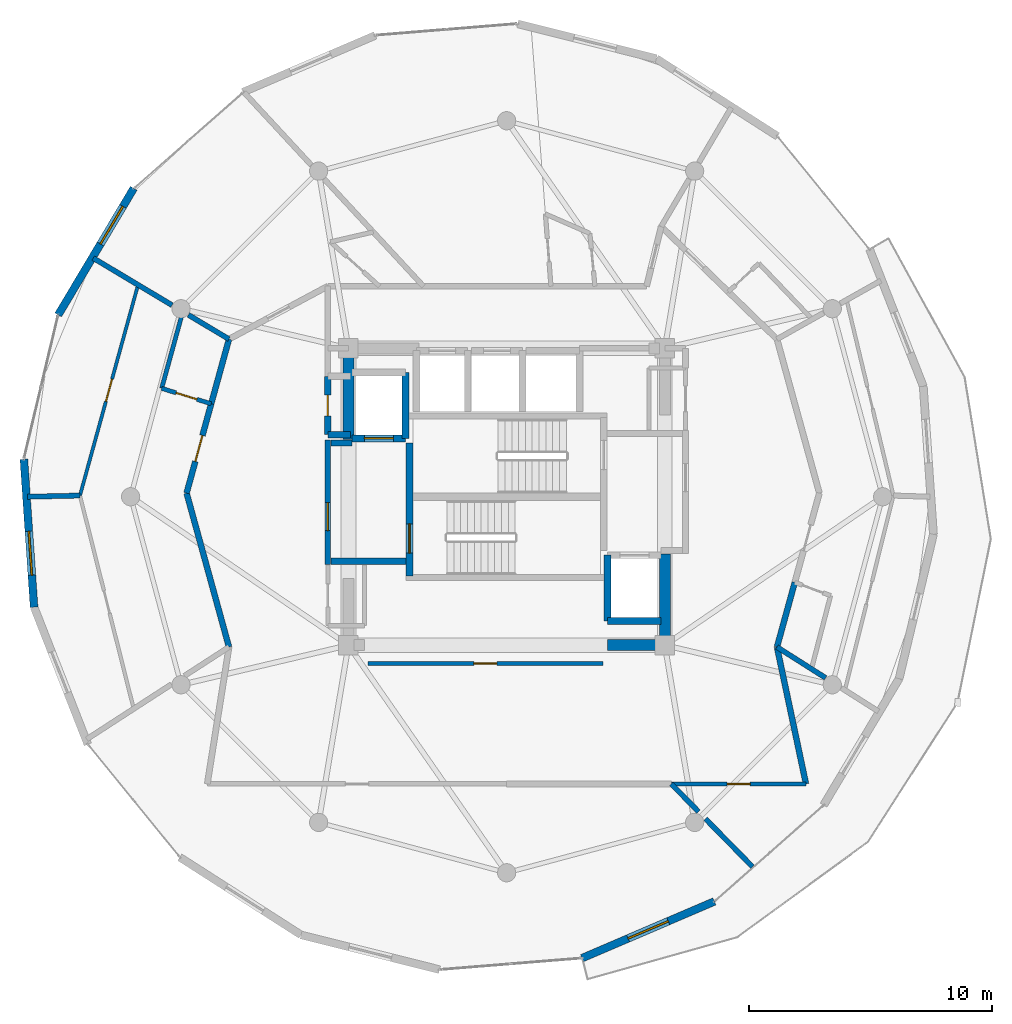
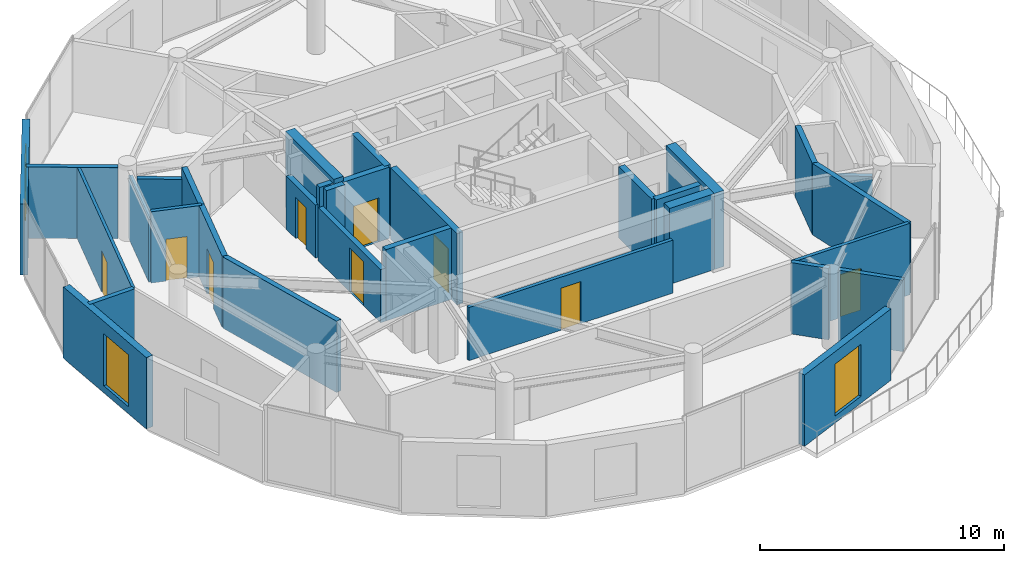
# One storey, part 17 of 22: 32 walls, 9 doors, 3 windows, 12 openings.
"""IFC4 building model written with IfcOpenShell, lengths in metres."""

from ifc_helpers import new_model, si_unit, direction, frame, frame_2d, origin, place, context, subcontext, project, spatial, rectangle, extrude, material, layer, layer_set, type_object, element, fill, save


model = new_model("IFC4")

# Units and contexts
model_context = context("Model", 3, precision=1e-05, world=origin(), true_north=direction((0.0, 1.0)))
body_context = subcontext(model_context, "Body", "Model", "MODEL_VIEW")
ifc_project = project(units=[si_unit("LENGTHUNIT", "METRE"), si_unit("AREAUNIT", "SQUARE_METRE"), si_unit("VOLUMEUNIT", "CUBIC_METRE"), si_unit("PLANEANGLEUNIT", "RADIAN"), si_unit("MASSUNIT", "GRAM", prefix="KILO")], contexts=[model_context])

# Site, building, storey
site_placement = place(None, origin())
site = spatial("IfcSite", under=ifc_project, at=site_placement, CompositionType="ELEMENT")
building_placement = place(site_placement, origin())
building = spatial("IfcBuilding", under=site, at=building_placement, Name="Solvirekh Grand Hotel", CompositionType="ELEMENT")
storey_placement = place(building_placement, frame((0.0, 0.0, 293.39990234375)))
storey = spatial("IfcBuildingStorey", under=building, at=storey_placement, Name="L76", CompositionType="ELEMENT", Elevation=293.39990234375)

# Wall, opening, door
ifc_material_1 = material(Name="Concrete C40/50", Category="concrete")
ifc_layer_1 = layer(ifc_material_1, 0.280029296875)
ifc_layer_set_1 = layer_set([ifc_layer_1], Name="Concrete C40/50")
wall_type_1 = type_object("IfcWallType", Name="CoreShaftWall_RC280", PredefinedType="SOLIDWALL", material=ifc_layer_set_1)
wall_1_placement = place(storey_placement, frame((-6.35009765625, 2.39990234375, 0.0), z_axis=(0.0, 0.0, 1.0), x_axis=(1.0, 0.0, 0.0)))
wall_1 = element("IfcWall", 1, at=wall_1_placement, inside=storey, type_object=wall_type_1, Name="L76 FL-1 hoistway S wall", PredefinedType="SOLIDWALL", context=body_context, shape_type="SweptSolid", body=[
    extrude(rectangle(XDim=2.2001953125, YDim=0.280029296875, at=frame_2d((1.10009765625, 0.0))), origin(), (0.0, 0.0, 1.0), 3.570068359375),
])
opening_1_placement = place(wall_1_placement, frame((0.5, 0.0, 0.0)))
opening_1 = element("IfcOpeningElement", 2, at=opening_1_placement, cuts=wall_1, Name="Opening LD02", PredefinedType="OPENING", context=body_context, shape_type="SweptSolid", body=[
    extrude(rectangle(XDim=1.199951171875, YDim=2.199951171875, at=frame_2d((0.60009765625, 1.10009765625))), frame((0.0, 0.14990234375, 0.0), z_axis=(0.0, -1.0, 0.0), x_axis=(1.0, 0.0, 0.0)), (0.0, 0.0, 1.0), 0.300048828125),
])
ifc_material_2 = material(Name="Fire-Rated Steel Door Assembly", Category="steel")
door_type_1 = type_object("IfcDoorType", Name="Door_LiftFF_1200X2200", OperationType="SLIDING_TO_LEFT", PredefinedType="DOOR", material=ifc_material_2)
door_1_placement = place(opening_1_placement, origin())
door_1 = element("IfcDoor", 3, at=door_1_placement, inside=storey, type_object=door_type_1, Name="L76 FL-1 sliding lift landing door", OperationType="SLIDING_TO_LEFT", OverallHeight=2.199951171875, OverallWidth=1.199951171875, PredefinedType="DOOR", context=body_context, shape_type="SweptSolid", body=[
    extrude(rectangle(XDim=1.199951171875, YDim=2.199951171875, at=frame_2d((0.60009765625, 1.10009765625))), frame((0.0, 0.02490234375, 0.0), z_axis=(0.0, -1.0, 0.0), x_axis=(1.0, 0.0, 0.0)), (0.0, 0.0, 1.0), 0.050048828125),
])
fill(opening_1, door_1)

# Walls
wall_2_placement = place(storey_placement, frame((-4.14990234375, 2.39990234375, 0.0), z_axis=(0.0, 0.0, 1.0), x_axis=(0.0, 1.0, 0.0)))
element("IfcWall", 4, at=wall_2_placement, inside=storey, type_object=wall_type_1, Name="L76 FL-1 hoistway E wall", PredefinedType="SOLIDWALL", context=body_context, shape_type="SweptSolid", body=[
    extrude(rectangle(XDim=2.7001953125, YDim=0.280029296875, at=frame_2d((1.35009765625, 0.0))), origin(), (0.0, 0.0, 1.0), 3.570068359375),
])
wall_3_placement = place(storey_placement, frame((4.14990234375, -5.10009765625, 0.0), z_axis=(0.0, 0.0, 1.0), x_axis=(1.0, 0.0, 0.0)))
element("IfcWall", 5, at=wall_3_placement, inside=storey, type_object=wall_type_1, Name="L76 FL-2 hoistway S wall", PredefinedType="SOLIDWALL", context=body_context, shape_type="SweptSolid", body=[
    extrude(rectangle(XDim=2.2001953125, YDim=0.280029296875, at=frame_2d((1.10009765625, 0.0))), origin(), (0.0, 0.0, 1.0), 3.570068359375),
])
wall_4_placement = place(storey_placement, frame((4.14990234375, -2.39990234375, 0.0), z_axis=(0.0, 0.0, 1.0), x_axis=(0.0, -1.0, 0.0)))
element("IfcWall", 6, at=wall_4_placement, inside=storey, type_object=wall_type_1, Name="L76 FL-2 hoistway W wall", PredefinedType="SOLIDWALL", context=body_context, shape_type="SweptSolid", body=[
    extrude(rectangle(XDim=2.7001953125, YDim=0.280029296875, at=frame_2d((1.35009765625, 0.0))), origin(), (0.0, 0.0, 1.0), 3.570068359375),
])

# Wall, opening, door
wall_5_placement = place(storey_placement, frame((-3.989990234375, -3.25, 0.0), z_axis=(0.0, 0.0, 1.0), x_axis=(0.0, 1.0, 0.0)))
wall_5 = element("IfcWall", 7, at=wall_5_placement, inside=storey, type_object=wall_type_1, Name="L76 west stair landing enclosure wall", PredefinedType="SOLIDWALL", context=body_context, shape_type="SweptSolid", body=[
    extrude(rectangle(XDim=5.4599609375, YDim=0.280029296875, at=frame_2d((2.72998046875, 0.0))), origin(), (0.0, 0.0, 1.0), 3.570068359375),
])
opening_2_placement = place(wall_5_placement, frame((0.93701171875, 0.0, 0.0)))
opening_2 = element("IfcOpeningElement", 8, at=opening_2_placement, cuts=wall_5, Name="Opening D05", PredefinedType="OPENING", context=body_context, shape_type="SweptSolid", body=[
    extrude(rectangle(XDim=1.199951171875, YDim=2.199951171875, at=frame_2d((0.60009765625, 1.10009765625))), frame((0.0, 0.14990234375, 0.0), z_axis=(0.0, -1.0, 0.0), x_axis=(1.0, 0.0, 0.0)), (0.0, 0.0, 1.0), 0.300048828125),
])
door_type_2 = type_object("IfcDoorType", Name="Door_StairCore_1200X2200", OperationType="NOTDEFINED", PredefinedType="DOOR", material=ifc_material_2)
door_2_placement = place(opening_2_placement, origin())
door_2 = element("IfcDoor", 9, at=door_2_placement, inside=storey, type_object=door_type_2, Name="L76 exit stair ST-1 fire door", OperationType="SINGLE_SWING_LEFT", OverallHeight=2.199951171875, OverallWidth=1.199951171875, PredefinedType="DOOR", context=body_context, shape_type="SweptSolid", body=[
    extrude(rectangle(XDim=1.199951171875, YDim=2.199951171875, at=frame_2d((0.60009765625, 1.10009765625))), frame((0.0, 0.02490234375, 0.0), z_axis=(0.0, -1.0, 0.0), x_axis=(1.0, 0.0, 0.0)), (0.0, 0.0, 1.0), 0.050048828125),
])
fill(opening_2, door_2)

# Walls
ifc_material_3 = material(Name="Concrete C50/60", Category="concrete")
ifc_layer_2 = layer(ifc_material_3, 0.449951171875)
ifc_layer_set_2 = layer_set([ifc_layer_2], Name="Concrete C50/60")
wall_type_2 = type_object("IfcWallType", Name="CoreWall_RC450", PredefinedType="SHEAR", material=ifc_layer_set_2)
wall_6_placement = place(storey_placement, frame((4.14990234375, -6.10009765625, 0.0), z_axis=(0.0, 0.0, 1.0), x_axis=(1.0, 0.0, 0.0)))
element("IfcWall", 10, at=wall_6_placement, inside=storey, type_object=wall_type_2, Name="L76 core corner shear wall SE-S", PredefinedType="SHEAR", context=body_context, shape_type="SweptSolid", body=[
    extrude(rectangle(XDim=2.125, YDim=0.449951171875, at=frame_2d((1.0625, 0.0))), origin(), (0.0, 0.0, 1.0), 3.800048828125),
])
for number, where, z_axis, x_axis, name in (
    (11, (-6.5, 2.35009765625, 0.0), (0.0, 0.0, 1.0), (0.0, 1.0, 0.0), "L76 core corner shear wall WN-W"),
    (12, (6.5, -6.324951171875, 0.0), (0.0, 0.0, 1.0), (0.0, 1.0, 0.0), "L76 core corner shear wall ES-E"),
):
    element("IfcWall", number, at=place(storey_placement, frame(where, z_axis=z_axis, x_axis=x_axis)), inside=storey, type_object=wall_type_2, Name=name, PredefinedType="SHEAR", context=body_context, shape_type="SweptSolid", body=[
        extrude(rectangle(XDim=3.974853515625, YDim=0.449951171875, at=frame_2d((1.9873046875, 0.0))), origin(), (0.0, 0.0, 1.0), 3.800048828125),
    ])

# Wall, opening, window
ifc_material_4 = material(Name="Precast concrete C45/55", Category="concrete")
ifc_layer_3 = layer(ifc_material_4, 0.320068359375)
ifc_layer_set_3 = layer_set([ifc_layer_3], Name="Precast concrete C45/55")
wall_type_3 = type_object("IfcWallType", Name="ExtLobbyWall_RC320", PredefinedType="SOLIDWALL", material=ifc_layer_set_3)
wall_7_placement = place(storey_placement, frame((8.534912109375, -16.62890625, 0.0), z_axis=(0.0, 0.0, 1.0), x_axis=(-0.919149299583, -0.393909336112, 0.0)))
wall_7 = element("IfcWall", 13, at=wall_7_placement, inside=storey, type_object=wall_type_3, Name="L76 exterior structural wall chord 2", PredefinedType="SOLIDWALL", context=body_context, shape_type="SweptSolid", body=[
    extrude(rectangle(XDim=5.915283203125, YDim=0.320068359375, at=frame_2d((2.95751953125, 0.0))), origin(), (0.0, 0.0, 1.0), 3.570068359375),
])
opening_3_placement = place(wall_7_placement, frame((2.05810546875, 0.0, 0.35009765625)))
opening_3 = element("IfcOpeningElement", 14, at=opening_3_placement, cuts=wall_7, Name="Opening W02", PredefinedType="OPENING", context=body_context, shape_type="SweptSolid", body=[
    extrude(rectangle(XDim=1.800048828125, YDim=2.60009765625, at=frame_2d((0.89990234375, 1.300048828125))), frame((0.0, 0.169921875, 0.0), z_axis=(0.0, -1.0, 0.0), x_axis=(1.0, 0.0, 0.0)), (0.0, 0.0, 1.0), 0.340087890625),
])
ifc_material_5 = material(Name="Low-E Tinted Bronze Laminated Glass", Category="aluminium")
window_type = type_object("IfcWindowType", Name="Win_LobbyExt_1800X2600", PartitioningType="SINGLE_PANEL", PredefinedType="WINDOW", material=ifc_material_5)
window_1_placement = place(opening_3_placement, origin())
window_1 = element("IfcWindow", 15, at=window_1_placement, inside=storey, type_object=window_type, Name="L76 panoramic bronze-framed window 2", OverallHeight=2.60009765625, OverallWidth=1.800048828125, PartitioningType="SINGLE_PANEL", PredefinedType="WINDOW", context=body_context, shape_type="SweptSolid", body=[
    extrude(rectangle(XDim=1.800048828125, YDim=2.60009765625, at=frame_2d((0.89990234375, 1.300048828125))), frame((0.0, 0.030029296875, 0.0), z_axis=(0.0, -1.0, 0.0), x_axis=(1.0, 0.0, 0.0)), (0.0, 0.0, 1.0), 0.06005859375),
])
fill(opening_3, window_1)

wall_8_placement = place(storey_placement, frame((-18.426025390625, 7.472900390625, 0.0), z_axis=(0.0, 0.0, 1.0), x_axis=(0.512459907896, 0.858711152134, 0.0)))
wall_8 = element("IfcWall", 16, at=wall_8_placement, inside=storey, type_object=wall_type_3, Name="L76 exterior structural wall chord 14", PredefinedType="SOLIDWALL", context=body_context, shape_type="SweptSolid", body=[
    extrude(rectangle(XDim=6.05322265625, YDim=0.320068359375, at=frame_2d((3.026611328125, 0.0))), origin(), (0.0, 0.0, 1.0), 3.570068359375),
])
opening_4_placement = place(wall_8_placement, frame((3.39208984375, 0.0, 0.35009765625)))
opening_4 = element("IfcOpeningElement", 17, at=opening_4_placement, cuts=wall_8, Name="Opening W02", PredefinedType="OPENING", context=body_context, shape_type="SweptSolid", body=[
    extrude(rectangle(XDim=1.800048828125, YDim=2.60009765625, at=frame_2d((0.89990234375, 1.300048828125))), frame((0.0, 0.169921875, 0.0), z_axis=(0.0, -1.0, 0.0), x_axis=(1.0, 0.0, 0.0)), (0.0, 0.0, 1.0), 0.340087890625),
])
window_2_placement = place(opening_4_placement, origin())
window_2 = element("IfcWindow", 18, at=window_2_placement, inside=storey, type_object=window_type, Name="L76 panoramic bronze-framed window 14", OverallHeight=2.60009765625, OverallWidth=1.800048828125, PartitioningType="SINGLE_PANEL", PredefinedType="WINDOW", context=body_context, shape_type="SweptSolid", body=[
    extrude(rectangle(XDim=1.800048828125, YDim=2.60009765625, at=frame_2d((0.89990234375, 1.300048828125))), frame((0.0, 0.030029296875, 0.0), z_axis=(0.0, -1.0, 0.0), x_axis=(1.0, 0.0, 0.0)), (0.0, 0.0, 1.0), 0.06005859375),
])
fill(opening_4, window_2)

wall_9_placement = place(storey_placement, frame((-19.41796875, -4.5380859375, 0.0), z_axis=(0.0, 0.0, 1.0), x_axis=(-0.068571155559, 0.997646228192, 0.0)))
wall_9 = element("IfcWall", 19, at=wall_9_placement, inside=storey, type_object=wall_type_3, Name="L76 exterior structural wall chord 16", PredefinedType="SOLIDWALL", context=body_context, shape_type="SweptSolid", body=[
    extrude(rectangle(XDim=6.095458984375, YDim=0.320068359375, at=frame_2d((3.0478515625, 0.0))), origin(), (0.0, 0.0, 1.0), 3.570068359375),
])
opening_5_placement = place(wall_9_placement, frame((1.322998046875, 0.0, 0.35009765625)))
opening_5 = element("IfcOpeningElement", 20, at=opening_5_placement, cuts=wall_9, Name="Opening W02", PredefinedType="OPENING", context=body_context, shape_type="SweptSolid", body=[
    extrude(rectangle(XDim=1.800048828125, YDim=2.60009765625, at=frame_2d((0.89990234375, 1.300048828125))), frame((0.0, 0.169921875, 0.0), z_axis=(0.0, -1.0, 0.0), x_axis=(1.0, 0.0, 0.0)), (0.0, 0.0, 1.0), 0.340087890625),
])
window_3_placement = place(opening_5_placement, origin())
window_3 = element("IfcWindow", 21, at=window_3_placement, inside=storey, type_object=window_type, Name="L76 panoramic bronze-framed window 16", OverallHeight=2.60009765625, OverallWidth=1.800048828125, PartitioningType="SINGLE_PANEL", PredefinedType="WINDOW", context=body_context, shape_type="SweptSolid", body=[
    extrude(rectangle(XDim=1.800048828125, YDim=2.60009765625, at=frame_2d((0.89990234375, 1.300048828125))), frame((0.0, 0.030029296875, 0.0), z_axis=(0.0, -1.0, 0.0), x_axis=(1.0, 0.0, 0.0)), (0.0, 0.0, 1.0), 0.06005859375),
])
fill(opening_5, window_3)

# Wall, opening, door
ifc_material_6 = material(Name="Acoustic Gypsum Partition Assembly")
ifc_layer_4 = layer(ifc_material_6, 0.1650390625)
ifc_layer_set_4 = layer_set([ifc_layer_4], Name="Acoustic Gypsum Partition Assembly")
wall_type_4 = type_object("IfcWallType", Name="Part_BOH_165", PredefinedType="PARTITIONING", material=ifc_layer_set_4)
wall_10_placement = place(storey_placement, frame((-5.699951171875, -6.85009765625, 0.0), z_axis=(0.0, 0.0, 1.0), x_axis=(1.0, 0.0, 0.0)))
wall_10 = element("IfcWall", 22, at=wall_10_placement, inside=storey, type_object=wall_type_4, Name="L76 Housekeeping & Linen Store wall 1", PredefinedType="PARTITIONING", context=body_context, shape_type="SweptSolid", body=[
    extrude(rectangle(XDim=9.64990234375, YDim=0.1650390625, at=frame_2d((4.824951171875, 0.0))), origin(), (0.0, 0.0, 1.0), 2.655029296875),
])
opening_6_placement = place(wall_10_placement, frame((4.35009765625, 0.0, 0.0)))
opening_6 = element("IfcOpeningElement", 23, at=opening_6_placement, cuts=wall_10, Name="Opening D10", PredefinedType="OPENING", context=body_context, shape_type="SweptSolid", body=[
    extrude(rectangle(XDim=0.949951171875, YDim=2.10009765625, at=frame_2d((0.47509765625, 1.050048828125))), frame((0.0, 0.092529296875, 0.0), z_axis=(0.0, -1.0, 0.0), x_axis=(1.0, 0.0, 0.0)), (0.0, 0.0, 1.0), 0.18505859375),
])
ifc_material_7 = material(Name="Anodized Bronze Aluminium 6063-T6", Category="aluminium")
door_type_3 = type_object("IfcDoorType", Name="Door_RoomInt_950X2100", OperationType="NOTDEFINED", PredefinedType="DOOR", material=ifc_material_7)
door_3_placement = place(opening_6_placement, origin())
door_3 = element("IfcDoor", 24, at=door_3_placement, inside=storey, type_object=door_type_3, Name="L76 Housekeeping & Linen Store door", OperationType="SINGLE_SWING_RIGHT", OverallHeight=2.10009765625, OverallWidth=0.949951171875, PredefinedType="DOOR", context=body_context, shape_type="SweptSolid", body=[
    extrude(rectangle(XDim=0.949951171875, YDim=2.10009765625, at=frame_2d((0.47509765625, 1.050048828125))), frame((0.0, 0.02490234375, 0.0), z_axis=(0.0, -1.0, 0.0), x_axis=(1.0, 0.0, 0.0)), (0.0, 0.0, 1.0), 0.050048828125),
])
fill(opening_6, door_3)

wall_11_placement = place(storey_placement, frame((6.764892578125, -11.800048828125, 0.0), z_axis=(0.0, 0.0, 1.0), x_axis=(1.0, 0.0, 0.0)))
wall_11 = element("IfcWall", 25, at=wall_11_placement, inside=storey, type_object=wall_type_4, Name="L76 L76 Butler Valet & Linen Steward Room entrance wall", PredefinedType="PARTITIONING", context=body_context, shape_type="SweptSolid", body=[
    extrude(rectangle(XDim=5.53515625, YDim=0.1650390625, at=frame_2d((2.767578125, 0.0))), origin(), (0.0, 0.0, 1.0), 3.570068359375),
])
opening_7_placement = place(wall_11_placement, frame((2.29296875, 0.0, 0.0)))
opening_7 = element("IfcOpeningElement", 26, at=opening_7_placement, cuts=wall_11, Name="Opening D10", PredefinedType="OPENING", context=body_context, shape_type="SweptSolid", body=[
    extrude(rectangle(XDim=0.949951171875, YDim=2.10009765625, at=frame_2d((0.47509765625, 1.050048828125))), frame((0.0, 0.092529296875, 0.0), z_axis=(0.0, -1.0, 0.0), x_axis=(1.0, 0.0, 0.0)), (0.0, 0.0, 1.0), 0.18505859375),
])
door_4_placement = place(opening_7_placement, origin())
door_4 = element("IfcDoor", 27, at=door_4_placement, inside=storey, type_object=door_type_3, Name="L76 L76 Butler Valet & Linen Steward Room entrance door", OperationType="SINGLE_SWING_LEFT", OverallHeight=2.10009765625, OverallWidth=0.949951171875, PredefinedType="DOOR", context=body_context, shape_type="SweptSolid", body=[
    extrude(rectangle(XDim=0.949951171875, YDim=2.10009765625, at=frame_2d((0.47509765625, 1.050048828125))), frame((0.0, 0.02490234375, 0.0), z_axis=(0.0, -1.0, 0.0), x_axis=(1.0, 0.0, 0.0)), (0.0, 0.0, 1.0), 0.050048828125),
])
fill(opening_7, door_4)

ifc_layer_5 = layer(ifc_material_6, 0.239990234375)
ifc_layer_set_5 = layer_set([ifc_layer_5], Name="Acoustic Gypsum Partition Assembly")
wall_type_5 = type_object("IfcWallType", Name="Part_Corridor_240", PredefinedType="PARTITIONING", material=ifc_layer_set_5)
wall_12_placement = place(storey_placement, frame((-7.35009765625, -2.780029296875, 0.0), z_axis=(0.0, 0.0, 1.0), x_axis=(0.0, 1.0, 0.0)))
wall_12 = element("IfcWall", 28, at=wall_12_placement, inside=storey, type_object=wall_type_5, Name="L76 west firefighting lobby smoke screen wall", PredefinedType="PARTITIONING", context=body_context, shape_type="SweptSolid", body=[
    extrude(rectangle(XDim=5.1201171875, YDim=0.239990234375, at=frame_2d((2.56005859375, 0.0))), origin(), (0.0, 0.0, 1.0), 2.655029296875),
])
opening_8_placement = place(wall_12_placement, frame((1.388916015625, 0.0, 0.0)))
opening_8 = element("IfcOpeningElement", 29, at=opening_8_placement, cuts=wall_12, Name="Opening D06", PredefinedType="OPENING", context=body_context, shape_type="SweptSolid", body=[
    extrude(rectangle(XDim=1.14990234375, YDim=2.199951171875, at=frame_2d((0.574951171875, 1.10009765625))), frame((0.0, 0.1298828125, 0.0), z_axis=(0.0, -1.0, 0.0), x_axis=(1.0, 0.0, 0.0)), (0.0, 0.0, 1.0), 0.260009765625),
])
door_type_4 = type_object("IfcDoorType", Name="Door_FFLobby_1150X2200", OperationType="NOTDEFINED", PredefinedType="DOOR", material=ifc_material_2)
door_5_placement = place(opening_8_placement, origin())
door_5 = element("IfcDoor", 30, at=door_5_placement, inside=storey, type_object=door_type_4, Name="L76 west firefighting lobby smoke door", OperationType="SINGLE_SWING_LEFT", OverallHeight=2.199951171875, OverallWidth=1.14990234375, PredefinedType="DOOR", context=body_context, shape_type="SweptSolid", body=[
    extrude(rectangle(XDim=1.14990234375, YDim=2.199951171875, at=frame_2d((0.574951171875, 1.10009765625))), frame((0.0, 0.02490234375, 0.0), z_axis=(0.0, -1.0, 0.0), x_axis=(1.0, 0.0, 0.0)), (0.0, 0.0, 1.0), 0.050048828125),
])
fill(opening_8, door_5)

# Walls
wall_13_placement = place(storey_placement, frame((-11.407958984375, 6.47509765625, 0.0), z_axis=(0.0, 0.0, 1.0), x_axis=(-0.265673419644, -0.964063086159, 0.0)))
element("IfcWall", 31, at=wall_13_placement, inside=storey, type_object=wall_type_5, Name="L76 En-suite Bathroom 7803 corridor backing wall", PredefinedType="PARTITIONING", context=body_context, shape_type="SweptSolid", body=[
    extrude(rectangle(XDim=2.755126953125, YDim=0.239990234375, at=frame_2d((1.37744140625, 0.0))), origin(), (0.0, 0.0, 1.0), 3.570068359375),
])
wall_14_placement = place(storey_placement, frame((-13.14990234375, 0.14990234375, 0.0), z_axis=(0.0, 0.0, 1.0), x_axis=(0.265522333736, -0.964104709193, 0.0)))
element("IfcWall", 32, at=wall_14_placement, inside=storey, type_object=wall_type_5, Name="L76 Executive Suite 7803 Living Room corridor wall 1", PredefinedType="PARTITIONING", context=body_context, shape_type="SweptSolid", body=[
    extrude(rectangle(XDim=6.560546875, YDim=0.239990234375, at=frame_2d((3.2802734375, 0.0))), origin(), (0.0, 0.0, 1.0), 3.570068359375),
])

# Wall, opening, door
wall_15_placement = place(storey_placement, frame((-12.139892578125, 3.819091796875, 0.0), z_axis=(0.0, 0.0, 1.0), x_axis=(-0.265396531994, -0.964139347193, 0.0)))
wall_15 = element("IfcWall", 33, at=wall_15_placement, inside=storey, type_object=wall_type_5, Name="L76 Executive Suite 7803 Living Room entrance wall", PredefinedType="PARTITIONING", context=body_context, shape_type="SweptSolid", body=[
    extrude(rectangle(XDim=3.8056640625, YDim=0.239990234375, at=frame_2d((1.90283203125, 0.0))), origin(), (0.0, 0.0, 1.0), 3.570068359375),
])
opening_9_placement = place(wall_15_placement, frame((1.35302734375, 0.0, 0.0)))
opening_9 = element("IfcOpeningElement", 34, at=opening_9_placement, cuts=wall_15, Name="Opening D08", PredefinedType="OPENING", context=body_context, shape_type="SweptSolid", body=[
    extrude(rectangle(XDim=1.10009765625, YDim=2.300048828125, at=frame_2d((0.550048828125, 1.14990234375))), frame((0.0, 0.1298828125, 0.0), z_axis=(0.0, -1.0, 0.0), x_axis=(1.0, 0.0, 0.0)), (0.0, 0.0, 1.0), 0.260009765625),
])
door_type_5 = type_object("IfcDoorType", Name="Door_SuiteEntry_1100X2300", OperationType="NOTDEFINED", PredefinedType="DOOR", material=ifc_material_2)
door_6_placement = place(opening_9_placement, origin())
door_6 = element("IfcDoor", 35, at=door_6_placement, inside=storey, type_object=door_type_5, Name="L76 Executive Suite 7803 Living Room entrance door", OperationType="SINGLE_SWING_LEFT", OverallHeight=2.300048828125, OverallWidth=1.10009765625, PredefinedType="DOOR", context=body_context, shape_type="SweptSolid", body=[
    extrude(rectangle(XDim=1.10009765625, YDim=2.300048828125, at=frame_2d((0.550048828125, 1.14990234375))), frame((0.0, 0.02490234375, 0.0), z_axis=(0.0, -1.0, 0.0), x_axis=(1.0, 0.0, 0.0)), (0.0, 0.0, 1.0), 0.050048828125),
])
fill(opening_9, door_6)

# Walls
wall_16_placement = place(storey_placement, frame((11.10791015625, -6.175048828125, 0.0), z_axis=(0.0, 0.0, 1.0), x_axis=(0.265664996475, 0.964065407349, 0.0)))
element("IfcWall", 36, at=wall_16_placement, inside=storey, type_object=wall_type_5, Name="L76 En-suite Bathroom 7804 corridor backing wall", PredefinedType="PARTITIONING", context=body_context, shape_type="SweptSolid", body=[
    extrude(rectangle(XDim=2.756103515625, YDim=0.239990234375, at=frame_2d((1.3779296875, 0.0))), origin(), (0.0, 0.0, 1.0), 3.570068359375),
])
wall_17_placement = place(storey_placement, frame((12.300048828125, -11.800048828125, 0.0), z_axis=(0.0, 0.0, 1.0), x_axis=(-0.207330597994, 0.978270935445, 0.0)))
element("IfcWall", 37, at=wall_17_placement, inside=storey, type_object=wall_type_5, Name="L76 L76 Butler Valet & Linen Steward Room corridor wall 1", PredefinedType="PARTITIONING", context=body_context, shape_type="SweptSolid", body=[
    extrude(rectangle(XDim=5.75, YDim=0.239990234375, at=frame_2d((2.875, 0.0))), origin(), (0.0, 0.0, 1.0), 3.570068359375),
])
ifc_layer_6 = layer(ifc_material_6, 0.260009765625)
ifc_layer_set_6 = layer_set([ifc_layer_6], Name="Acoustic Gypsum Partition Assembly")
wall_type_6 = type_object("IfcWallType", Name="Part_LobbyFF_260", PredefinedType="PARTITIONING", material=ifc_layer_set_6)
wall_18_placement = place(storey_placement, frame((-7.22509765625, -2.64990234375, 0.0), z_axis=(0.0, 0.0, 1.0), x_axis=(1.0, 0.0, 0.0)))
element("IfcWall", 38, at=wall_18_placement, inside=storey, type_object=wall_type_6, Name="L76 west firefighting lobby south partition", PredefinedType="PARTITIONING", context=body_context, shape_type="SweptSolid", body=[
    extrude(rectangle(XDim=3.09521484375, YDim=0.260009765625, at=frame_2d((1.547607421875, 0.0))), origin(), (0.0, 0.0, 1.0), 3.570068359375),
])
wall_19_placement = place(storey_placement, frame((-7.22509765625, 2.2099609375, 0.0), z_axis=(0.0, 0.0, 1.0), x_axis=(1.0, 0.0, 0.0)))
element("IfcWall", 39, at=wall_19_placement, inside=storey, type_object=wall_type_6, Name="L76 west firefighting lobby NW cheek", PredefinedType="PARTITIONING", context=body_context, shape_type="SweptSolid", body=[
    extrude(rectangle(XDim=0.875, YDim=0.260009765625, at=frame_2d((0.4375, 0.0))), origin(), (0.0, 0.0, 1.0), 3.570068359375),
])
wall_20_placement = place(storey_placement, frame((-7.35009765625, 2.550048828125, 0.0), z_axis=(0.0, 0.0, 1.0), x_axis=(1.0, 0.0, 0.0)))
element("IfcWall", 40, at=wall_20_placement, inside=storey, type_object=wall_type_6, Name="L76 NW telecom metering cupboard south wall", PredefinedType="PARTITIONING", context=body_context, shape_type="SweptSolid", body=[
    extrude(rectangle(XDim=0.93017578125, YDim=0.260009765625, at=frame_2d((0.465087890625, 0.0))), origin(), (0.0, 0.0, 1.0), 3.570068359375),
])

# Wall, opening, door
wall_21_placement = place(storey_placement, frame((-7.35009765625, 2.550048828125, 0.0), z_axis=(0.0, 0.0, 1.0), x_axis=(0.0, 1.0, 0.0)))
wall_21 = element("IfcWall", 41, at=wall_21_placement, inside=storey, type_object=wall_type_6, Name="L76 NW telecom metering cupboard access wall", PredefinedType="PARTITIONING", context=body_context, shape_type="SweptSolid", body=[
    extrude(rectangle(XDim=2.39990234375, YDim=0.260009765625, at=frame_2d((1.199951171875, 0.0))), origin(), (0.0, 0.0, 1.0), 2.655029296875),
])
opening_10_placement = place(wall_21_placement, frame((0.77490234375, 0.0, 0.0)))
opening_10 = element("IfcOpeningElement", 42, at=opening_10_placement, cuts=wall_21, Name="Opening D13", PredefinedType="OPENING", context=body_context, shape_type="SweptSolid", body=[
    extrude(rectangle(XDim=0.85009765625, YDim=2.050048828125, at=frame_2d((0.425048828125, 1.02490234375))), frame((0.0, 0.14013671875, 0.0), z_axis=(0.0, -1.0, 0.0), x_axis=(1.0, 0.0, 0.0)), (0.0, 0.0, 1.0), 0.280029296875),
])
door_type_6 = type_object("IfcDoorType", Name="Door_RiserShaft_850X2050", OperationType="NOTDEFINED", PredefinedType="DOOR", material=ifc_material_2)
door_7_placement = place(opening_10_placement, origin())
door_7 = element("IfcDoor", 43, at=door_7_placement, inside=storey, type_object=door_type_6, Name="L76 telecom metering cupboard access door", OperationType="SINGLE_SWING_LEFT", OverallHeight=2.050048828125, OverallWidth=0.85009765625, PredefinedType="DOOR", context=body_context, shape_type="SweptSolid", body=[
    extrude(rectangle(XDim=0.85009765625, YDim=2.050048828125, at=frame_2d((0.425048828125, 1.02490234375))), frame((0.0, 0.02490234375, 0.0), z_axis=(0.0, -1.0, 0.0), x_axis=(1.0, 0.0, 0.0)), (0.0, 0.0, 1.0), 0.050048828125),
])
fill(opening_10, door_7)

ifc_layer_7 = layer(ifc_material_6, 0.135009765625)
ifc_layer_set_7 = layer_set([ifc_layer_7], Name="Acoustic Gypsum Partition Assembly")
wall_type_7 = type_object("IfcWallType", Name="Part_RoomInt_135", PredefinedType="PARTITIONING", material=ifc_layer_set_7)
wall_22_placement = place(storey_placement, frame((-15.14501953125, 8.70703125, 0.0), z_axis=(0.0, 0.0, 1.0), x_axis=(-0.265780037486, -0.964033698412, 0.0)))
wall_22 = element("IfcWall", 44, at=wall_22_placement, inside=storey, type_object=wall_type_7, Name="L76 Executive Suite 7803 Living Room bedroom screen wall", PredefinedType="PARTITIONING", context=body_context, shape_type="SweptSolid", body=[
    extrude(rectangle(XDim=8.98095703125, YDim=0.135009765625, at=frame_2d((4.490478515625, 0.0))), origin(), (0.0, 0.0, 1.0), 3.570068359375),
])
opening_11_placement = place(wall_22_placement, frame((4.01611328125, 0.0, 0.0)))
opening_11 = element("IfcOpeningElement", 45, at=opening_11_placement, cuts=wall_22, Name="Opening D10", PredefinedType="OPENING", context=body_context, shape_type="SweptSolid", body=[
    extrude(rectangle(XDim=0.949951171875, YDim=2.10009765625, at=frame_2d((0.47509765625, 1.050048828125))), frame((0.0, 0.07763671875, 0.0), z_axis=(0.0, -1.0, 0.0), x_axis=(1.0, 0.0, 0.0)), (0.0, 0.0, 1.0), 0.155029296875),
])
door_8_placement = place(opening_11_placement, origin())
door_8 = element("IfcDoor", 46, at=door_8_placement, inside=storey, type_object=door_type_3, Name="L76 Executive Suite 7803 Living Room master bedroom door", OperationType="SINGLE_SWING_RIGHT", OverallHeight=2.10009765625, OverallWidth=0.949951171875, PredefinedType="DOOR", context=body_context, shape_type="SweptSolid", body=[
    extrude(rectangle(XDim=0.949951171875, YDim=2.10009765625, at=frame_2d((0.47509765625, 1.050048828125))), frame((0.0, 0.02490234375, 0.0), z_axis=(0.0, -1.0, 0.0), x_axis=(1.0, 0.0, 0.0)), (0.0, 0.0, 1.0), 0.050048828125),
])
fill(opening_11, door_8)

# Walls
ifc_layer_8 = layer(ifc_material_6, 0.2099609375)
ifc_layer_set_8 = layer_set([ifc_layer_8], Name="Acoustic Gypsum Partition Assembly")
wall_type_8 = type_object("IfcWallType", Name="Part_SuiteDemise_210", PredefinedType="PARTITIONING", material=ifc_layer_set_8)
wall_23_placement = place(storey_placement, frame((-11.407958984375, 6.47509765625, 0.0), z_axis=(0.0, 0.0, 1.0), x_axis=(-0.858521768477, 0.512777118299, 0.0)))
element("IfcWall", 47, at=wall_23_placement, inside=storey, type_object=wall_type_8, Name="L76 suite radial wall 6 (A)", PredefinedType="PARTITIONING", context=body_context, shape_type="SweptSolid", body=[
    extrude(rectangle(XDim=1.944091796875, YDim=0.2099609375, at=frame_2d((0.97216796875, 0.0))), origin(), (0.0, 0.0, 1.0), 3.010986328125),
])
wall_24_placement = place(storey_placement, frame((-13.7470703125, 7.8720703125, 0.0), z_axis=(0.0, 0.0, 1.0), x_axis=(-0.858496185015, 0.512819949216, 0.0)))
element("IfcWall", 48, at=wall_24_placement, inside=storey, type_object=wall_type_8, Name="L76 suite radial wall 6 (B)", PredefinedType="PARTITIONING", context=body_context, shape_type="SweptSolid", body=[
    extrude(rectangle(XDim=3.77294921875, YDim=0.2099609375, at=frame_2d((1.886474609375, 0.0))), origin(), (0.0, 0.0, 1.0), 3.570068359375),
])
wall_25_placement = place(storey_placement, frame((11.10791015625, -6.175048828125, 0.0), z_axis=(0.0, 0.0, 1.0), x_axis=(0.84431145075, -0.535852754152, 0.0)))
element("IfcWall", 49, at=wall_25_placement, inside=storey, type_object=wall_type_8, Name="L76 suite radial wall 12 (A)", PredefinedType="PARTITIONING", context=body_context, shape_type="SweptSolid", body=[
    extrude(rectangle(XDim=2.3642578125, YDim=0.2099609375, at=frame_2d((1.18212890625, 0.0))), origin(), (0.0, 0.0, 1.0), 3.010986328125),
])
wall_26_placement = place(storey_placement, frame((-17.531982421875, 0.049072265625, 0.0), z_axis=(0.0, 0.0, 1.0), x_axis=(-0.999741543501, -0.02273425164, 0.0)))
element("IfcWall", 50, at=wall_26_placement, inside=storey, type_object=wall_type_8, Name="L76 Executive Suite 7803 Living Room dividing partition 1", PredefinedType="PARTITIONING", context=body_context, shape_type="SweptSolid", body=[
    extrude(rectangle(XDim=2.158447265625, YDim=0.2099609375, at=frame_2d((1.0791015625, 0.0))), origin(), (0.0, 0.0, 1.0), 3.570068359375),
])
wall_27_placement = place(storey_placement, frame((6.764892578125, -11.800048828125, 0.0), z_axis=(0.0, 0.0, 1.0), x_axis=(0.700592904853, -0.713561196864, 0.0)))
element("IfcWall", 51, at=wall_27_placement, inside=storey, type_object=wall_type_8, Name="L76 L76 Astronomical Tea Lounge dividing partition 1 (A)", PredefinedType="PARTITIONING", context=body_context, shape_type="SweptSolid", body=[
    extrude(rectangle(XDim=1.60009765625, YDim=0.2099609375, at=frame_2d((0.800048828125, 0.0))), origin(), (0.0, 0.0, 1.0), 3.570068359375),
])
wall_28_placement = place(storey_placement, frame((8.166015625, -13.22802734375, 0.0), z_axis=(0.0, 0.0, 1.0), x_axis=(0.700171371024, -0.713974825325, 0.0)))
element("IfcWall", 52, at=wall_28_placement, inside=storey, type_object=wall_type_8, Name="L76 L76 Astronomical Tea Lounge dividing partition 1 (B)", PredefinedType="PARTITIONING", context=body_context, shape_type="SweptSolid", body=[
    extrude(rectangle(XDim=2.75927734375, YDim=0.2099609375, at=frame_2d((1.379638671875, 0.0))), origin(), (0.0, 0.0, 1.0), 3.570068359375),
])
ifc_layer_9 = layer(ifc_material_6, 0.175048828125)
ifc_layer_set_9 = layer_set([ifc_layer_9], Name="Acoustic Gypsum Partition Assembly")
wall_type_9 = type_object("IfcWallType", Name="Plumb_Ensuite_175", PredefinedType="PLUMBINGWALL", material=ifc_layer_set_9)
wall_29_placement = place(storey_placement, frame((-13.304931640625, 7.60791015625, 0.0), z_axis=(0.0, 0.0, 1.0), x_axis=(-0.265680279944, -0.964061195593, 0.0)))
element("IfcWall", 53, at=wall_29_placement, inside=storey, type_object=wall_type_9, Name="L76 En-suite Bathroom 7803 outer plumbing wall", PredefinedType="PLUMBINGWALL", context=body_context, shape_type="SweptSolid", body=[
    extrude(rectangle(XDim=3.271484375, YDim=0.175048828125, at=frame_2d((1.6357421875, 0.0))), origin(), (0.0, 0.0, 1.0), 3.13818359375),
])

# Wall, opening, door
wall_30_placement = place(storey_placement, frame((-12.139892578125, 3.819091796875, 0.0), z_axis=(0.0, 0.0, 1.0), x_axis=(-0.954569631216, 0.297987951367, 0.0)))
wall_30 = element("IfcWall", 54, at=wall_30_placement, inside=storey, type_object=wall_type_9, Name="L76 En-suite Bathroom 7803 entry plumbing wall", PredefinedType="PLUMBINGWALL", context=body_context, shape_type="SweptSolid", body=[
    extrude(rectangle(XDim=2.131103515625, YDim=0.175048828125, at=frame_2d((1.0654296875, 0.0))), origin(), (0.0, 0.0, 1.0), 3.570068359375),
])
opening_12_placement = place(wall_30_placement, frame((0.614990234375, 0.0, 0.0)))
opening_12 = element("IfcOpeningElement", 55, at=opening_12_placement, cuts=wall_30, Name="Opening D09", PredefinedType="OPENING", context=body_context, shape_type="SweptSolid", body=[
    extrude(rectangle(XDim=0.89990234375, YDim=2.10009765625, at=frame_2d((0.449951171875, 1.050048828125))), frame((0.0, 0.09765625, 0.0), z_axis=(0.0, -1.0, 0.0), x_axis=(1.0, 0.0, 0.0)), (0.0, 0.0, 1.0), 0.195068359375),
])
door_type_7 = type_object("IfcDoorType", Name="Door_Ensuite_900X2100", OperationType="NOTDEFINED", PredefinedType="DOOR", material=ifc_material_7)
door_9_placement = place(opening_12_placement, origin())
door_9 = element("IfcDoor", 56, at=door_9_placement, inside=storey, type_object=door_type_7, Name="L76 En-suite Bathroom 7803 door", OperationType="SINGLE_SWING_RIGHT", OverallHeight=2.10009765625, OverallWidth=0.89990234375, PredefinedType="DOOR", context=body_context, shape_type="SweptSolid", body=[
    extrude(rectangle(XDim=0.89990234375, YDim=2.10009765625, at=frame_2d((0.449951171875, 1.050048828125))), frame((0.0, 0.02490234375, 0.0), z_axis=(0.0, -1.0, 0.0), x_axis=(1.0, 0.0, 0.0)), (0.0, 0.0, 1.0), 0.050048828125),
])
fill(opening_12, door_9)

save(model, "model.ifc")
